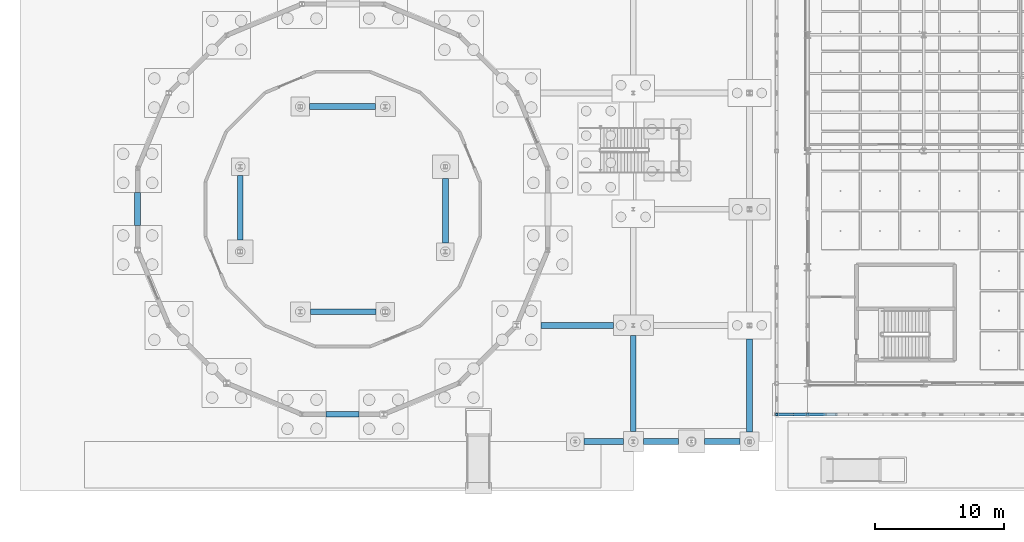
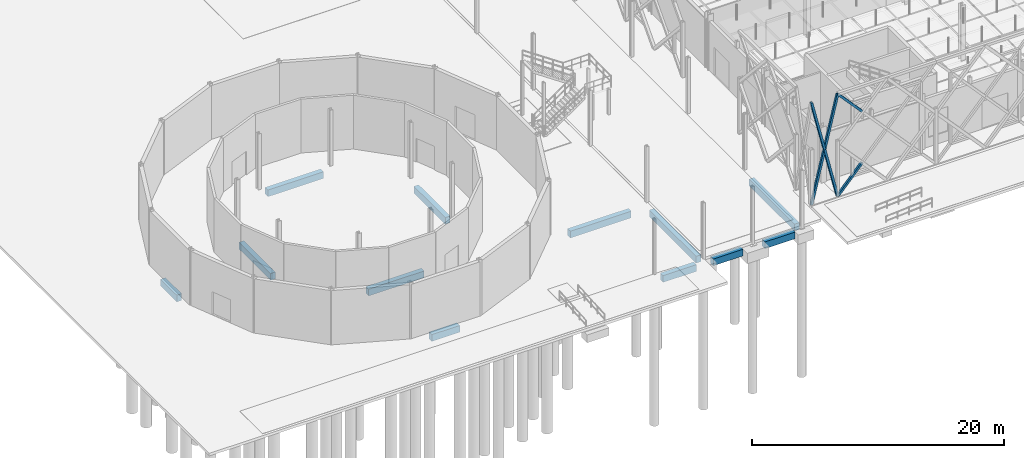
# One storey, part 28 of 180: 12 beams, 5 members.
"""IFC4 building model written with IfcOpenShell, lengths in metres."""

from ifc_helpers import new_model, si_unit, direction, frame, origin, origin_2d, place, context, subcontext, project, spatial, rectangle, hollow_rectangle, extrude, material, material_profile, profile_set, type_object, element, save


model = new_model("IFC4")

# Units and contexts
model_context = context("Model", 3, precision=1e-05, world=origin(), true_north=direction((0.0, 1.0)))
body_context = subcontext(model_context, "Body", "Model", "MODEL_VIEW")
ifc_project = project(units=[si_unit("LENGTHUNIT", "METRE"), si_unit("AREAUNIT", "SQUARE_METRE"), si_unit("VOLUMEUNIT", "CUBIC_METRE"), si_unit("PLANEANGLEUNIT", "RADIAN"), si_unit("MASSUNIT", "GRAM", prefix="KILO"), si_unit("THERMODYNAMICTEMPERATUREUNIT", "KELVIN"), si_unit("POWERUNIT", "WATT")], contexts=[model_context])

# Site, building, storey
site_placement = place(None, origin())
site = spatial("IfcSite", under=ifc_project, at=site_placement, CompositionType="ELEMENT")
building_placement = place(site_placement, origin())
building = spatial("IfcBuilding", under=site, at=building_placement, Name="Tallowbark Science Centre", CompositionType="ELEMENT")
storey_placement = place(building_placement, origin())
storey = spatial("IfcBuildingStorey", under=building, at=storey_placement, Name="L00", CompositionType="ELEMENT", Elevation=0.0)

# Beams
ifc_material_1 = material(Name="Concrete Grade N40 (40 MPa)", Category="concrete")
ifc_material_profile_1 = material_profile(ifc_material_1, rectangle(XDim=0.449951171875, YDim=0.64990234375, at=origin_2d()), Name="RC450x650")
ifc_profile_set_1 = profile_set([ifc_material_profile_1], Name="Concrete Grade N40 (40 MPa)")
beam_type = type_object("IfcBeamType", Name="BM-GB2-N40", PredefinedType="BEAM", material=ifc_profile_set_1)
beam_1_placement = place(storey_placement, frame((37.869873046875, 8.999755859375, -0.5849609375), z_axis=(1.0, 0.0, 0.0), x_axis=(0.0, 1.0, 0.0)))
element("IfcBeam", 1, at=beam_1_placement, inside=storey, type_object=beam_type, Name="Ground Tie Beam GBT-X-242", PredefinedType="BEAM", context=body_context, shape_type="SweptSolid", body=[
    extrude(rectangle(XDim=0.449951171875, YDim=0.64990234375, at=origin_2d()), origin(), (0.0, 0.0, 1.0), 5.580078125),
])
beam_2_placement = place(storey_placement, frame((21.189453125, 2.111328125, -0.5849609375), z_axis=(1.0, 0.0, 0.0), x_axis=(0.0, 1.0, 0.0)))
element("IfcBeam", 2, at=beam_2_placement, inside=storey, type_object=beam_type, Name="Ground Tie Beam GBT-X-247", PredefinedType="BEAM", context=body_context, shape_type="SweptSolid", body=[
    extrude(rectangle(XDim=0.449951171875, YDim=0.64990234375, at=origin_2d()), origin(), (0.0, 0.0, 1.0), 2.571044921875),
])
for number, where, z_axis, x_axis, name in (
    (3, (19.933837890625, 25.9453125, -0.5849609375), (1.0, 0.0, 0.0), (0.0, 1.0, 0.0), "Ground Tie Beam GBT-X-248"),
    (4, (19.98388671875, 10.0546875, -0.5849609375), (1.0, 0.0, 0.0), (0.0, 1.0, 0.0), "Ground Tie Beam GBT-X-249"),
):
    element("IfcBeam", number, at=place(storey_placement, frame(where, z_axis=z_axis, x_axis=x_axis)), inside=storey, type_object=beam_type, Name=name, PredefinedType="BEAM", context=body_context, shape_type="SweptSolid", body=[
        extrude(rectangle(XDim=0.449951171875, YDim=0.64990234375, at=origin_2d()), origin(), (0.0, 0.0, 1.0), 5.082275390625),
    ])
beam_3_placement = place(storey_placement, frame((41.175048828125, 0.0, -0.5849609375), z_axis=(1.0, 0.0, 0.0), x_axis=(0.0, 1.0, 0.0)))
element("IfcBeam", 5, at=beam_3_placement, inside=storey, type_object=beam_type, Name="Ground Tie Beam GBT-X-250", PredefinedType="BEAM", context=body_context, shape_type="SweptSolid", body=[
    extrude(rectangle(XDim=0.449951171875, YDim=0.64990234375, at=origin_2d()), origin(), (0.0, 0.0, 1.0), 3.050048828125),
])
beam_4_placement = place(storey_placement, frame((45.77490234375, 0.0, -0.5849609375), z_axis=(1.0, 0.0, 0.0), x_axis=(0.0, 1.0, 0.0)))
element("IfcBeam", 6, at=beam_4_placement, inside=storey, type_object=beam_type, Name="Ground Tie Beam GBT-X-251", PredefinedType="BEAM", context=body_context, shape_type="SweptSolid", body=[
    extrude(rectangle(XDim=0.449951171875, YDim=0.64990234375, at=origin_2d()), origin(), (0.0, 0.0, 1.0), 2.72509765625),
])
beam_5_placement = place(storey_placement, frame((50.5, 0.0, -0.5849609375), z_axis=(1.0, 0.0, 0.0), x_axis=(0.0, 1.0, 0.0)))
element("IfcBeam", 7, at=beam_5_placement, inside=storey, type_object=beam_type, Name="Ground Tie Beam GBT-X-252", PredefinedType="BEAM", context=body_context, shape_type="SweptSolid", body=[
    extrude(rectangle(XDim=0.449951171875, YDim=0.64990234375, at=origin_2d()), origin(), (0.0, 0.0, 1.0), 2.77490234375),
])
beam_6_placement = place(storey_placement, frame((6.611328125, 16.739501953125, -0.5849609375), z_axis=(0.0, 1.0, 0.0), x_axis=(-1.0, 0.0, 0.0)))
element("IfcBeam", 8, at=beam_6_placement, inside=storey, type_object=beam_type, Name="Ground Tie Beam GBT-Y-301", PredefinedType="BEAM", context=body_context, shape_type="SweptSolid", body=[
    extrude(rectangle(XDim=0.449951171875, YDim=0.64990234375, at=origin_2d()), origin(), (0.0, 0.0, 1.0), 2.571044921875),
])
for number, where, z_axis, x_axis, name in (
    (9, (30.4453125, 15.3837890625, -0.5849609375), (0.0, 1.0, 0.0), (-1.0, 0.0, 0.0), "Ground Tie Beam GBT-Y-302"),
    (10, (14.5546875, 15.60888671875, -0.5849609375), (0.0, 1.0, 0.0), (-1.0, 0.0, 0.0), "Ground Tie Beam GBT-Y-303"),
):
    element("IfcBeam", number, at=place(storey_placement, frame(where, z_axis=z_axis, x_axis=x_axis)), inside=storey, type_object=beam_type, Name=name, PredefinedType="BEAM", context=body_context, shape_type="SweptSolid", body=[
        extrude(rectangle(XDim=0.449951171875, YDim=0.64990234375, at=origin_2d()), origin(), (0.0, 0.0, 1.0), 5.00732421875),
    ])
beam_7_placement = place(storey_placement, frame((45.0, 0.77490234375, -0.5849609375), z_axis=(0.0, 1.0, 0.0), x_axis=(-1.0, 0.0, 0.0)))
element("IfcBeam", 11, at=beam_7_placement, inside=storey, type_object=beam_type, Name="Ground Tie Beam GBT-Y-304", PredefinedType="BEAM", context=body_context, shape_type="SweptSolid", body=[
    extrude(rectangle(XDim=0.449951171875, YDim=0.64990234375, at=origin_2d()), origin(), (0.0, 0.0, 1.0), 7.425048828125),
])
beam_8_placement = place(storey_placement, frame((54.0, 0.72509765625, -0.5849609375), z_axis=(0.0, 1.0, 0.0), x_axis=(-1.0, 0.0, 0.0)))
element("IfcBeam", 12, at=beam_8_placement, inside=storey, type_object=beam_type, Name="Ground Tie Beam GBT-Y-315", PredefinedType="BEAM", context=body_context, shape_type="SweptSolid", body=[
    extrude(rectangle(XDim=0.449951171875, YDim=0.64990234375, at=origin_2d()), origin(), (0.0, 0.0, 1.0), 7.224853515625),
])

# Members
ifc_material_2 = material(Name="White Architectural Painted Steel Grade C350L0 (350 MPa)", Category="steel")
ifc_material_profile_2 = material_profile(ifc_material_2, hollow_rectangle(XDim=0.199951171875, YDim=0.199951171875, WallThickness=0.009033203125, at=origin_2d()), Name="200x200x9.0SHS")
ifc_profile_set_2 = profile_set([ifc_material_profile_2], Name="White Architectural Painted Steel Grade C350L0 (350 MPa)")
member_type = type_object("IfcMemberType", Name="SCR-STAR139", PredefinedType="BRACE", material=ifc_profile_set_2)
member_1_placement = place(storey_placement, frame((58.5, 2.10009765625, 0.0), z_axis=(0.672658262301, 0.0, 0.739953283768), x_axis=(0.0, 1.0, 0.0)))
element("IfcMember", 13, at=member_1_placement, inside=storey, type_object=member_type, Name="Star Screen Continuous X-Diagonal D1A S-1", PredefinedType="BRACE", context=body_context, shape_type="SweptSolid", body=[
    extrude(hollow_rectangle(XDim=0.199951171875, YDim=0.199951171875, WallThickness=0.009033203125, at=origin_2d()), origin(), (0.0, 0.0, 1.0), 3.344970703125),
])
member_2_placement = place(storey_placement, frame((58.5, 2.10009765625, 9.89990234375), z_axis=(0.672694592231, 0.0, -0.739920256233), x_axis=(0.0, 1.0, 0.0)))
element("IfcMember", 14, at=member_2_placement, inside=storey, type_object=member_type, Name="Star Screen Split X-Diagonal D2A S-1", PredefinedType="BRACE", context=body_context, shape_type="SweptSolid", body=[
    extrude(hollow_rectangle(XDim=0.199951171875, YDim=0.199951171875, WallThickness=0.009033203125, at=origin_2d()), origin(), (0.0, 0.0, 1.0), 3.3447265625),
])
member_3_placement = place(storey_placement, frame((56.10009765625, 2.10009765625, 0.0), z_axis=(0.235593166094, 0.0, 0.971851768579), x_axis=(0.0, 1.0, 0.0)))
element("IfcMember", 15, at=member_3_placement, inside=storey, type_object=member_type, Name="Star Screen Corner Continuous Diagonal SWX-L00", PredefinedType="BRACE", context=body_context, shape_type="SweptSolid", body=[
    extrude(hollow_rectangle(XDim=0.199951171875, YDim=0.199951171875, WallThickness=0.009033203125, at=origin_2d()), origin(), (0.0, 0.0, 1.0), 10.1865234375),
])
for number, where, z_axis, x_axis, name in (
    (16, (58.5, 2.10009765625, 0.0), (-0.235593166094, 0.0, 0.971851768579), (0.0, -1.0, 0.0), "Star Screen Corner Split Diagonal A SWX-L00"),
    (17, (57.300048828125, 2.10009765625, 4.949951171875), (-0.235593166094, 0.0, 0.971851768579), (0.0, -1.0, 0.0), "Star Screen Corner Split Diagonal B SWX-L00"),
):
    element("IfcMember", number, at=place(storey_placement, frame(where, z_axis=z_axis, x_axis=x_axis)), inside=storey, type_object=member_type, Name=name, PredefinedType="BRACE", context=body_context, shape_type="SweptSolid", body=[
        extrude(hollow_rectangle(XDim=0.199951171875, YDim=0.199951171875, WallThickness=0.009033203125, at=origin_2d()), origin(), (0.0, 0.0, 1.0), 5.09326171875),
    ])

save(model, "model.ifc")
